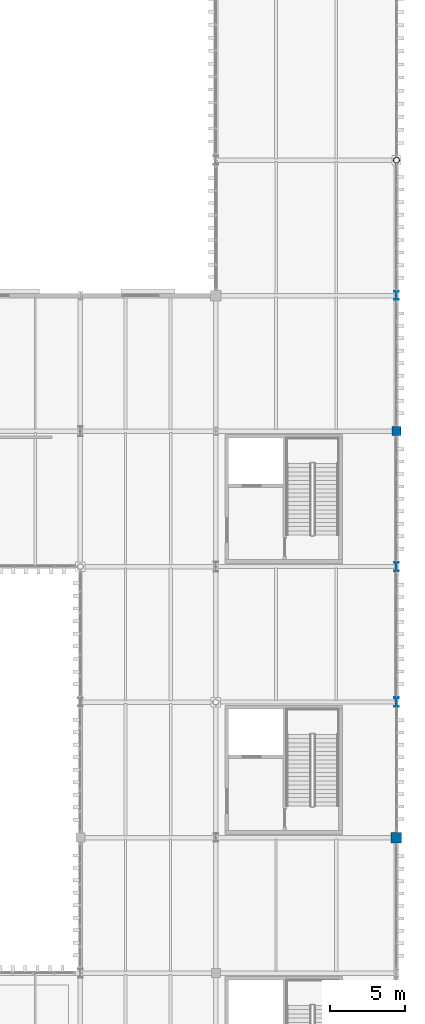
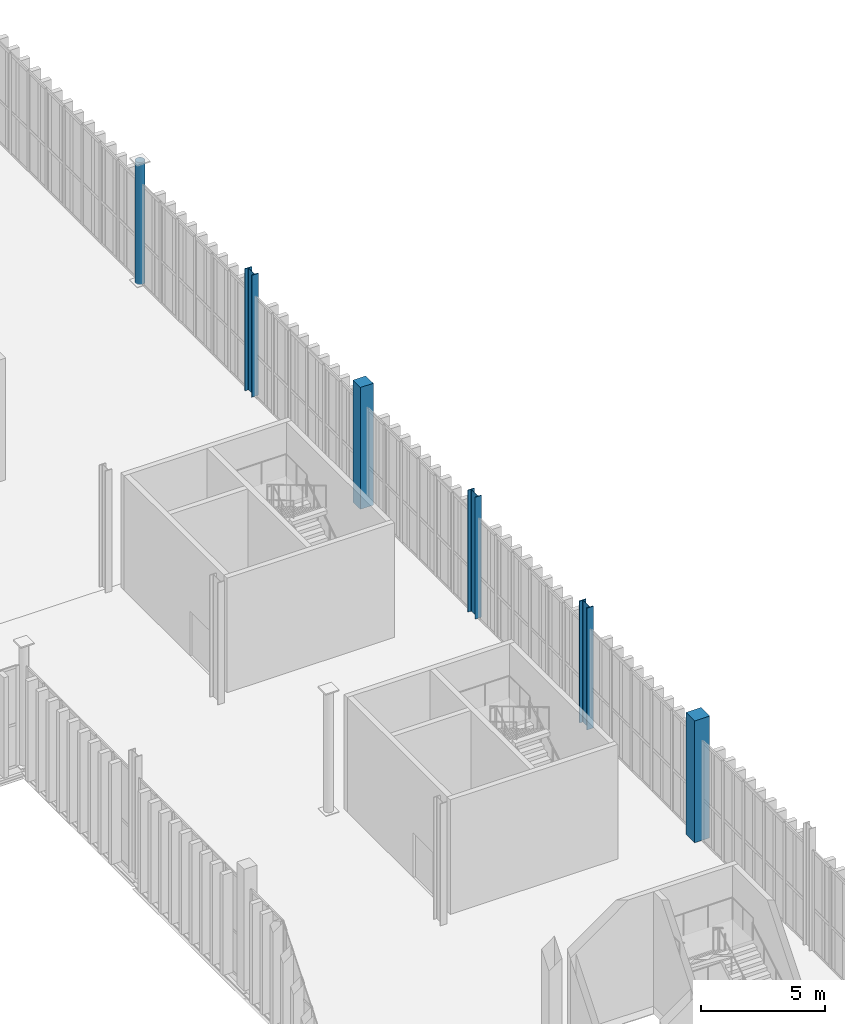
# One storey, part 21 of 211: 6 columns.
"""IFC4 building model written with IfcOpenShell, lengths in metres."""

import ifcopenshell
import ifcopenshell.guid

model = None  # the IFC model being written
_history = None  # IfcOwnerHistory: only IFC2X3 demands one
_inside = {}  # id of a spatial element -> (the spatial element, [elements in it])
_under = {}  # id of a project, library or spatial element -> (it, [spatial elements below it])
_declared = {}  # id of a project -> (the project, [libraries it declares])
_typed = {}  # id of a type object -> (the type object, [elements of that type])
_made_of = {}  # id of a material, layer set ... -> (it, [elements and type objects made of it])


def new_model(schema):
    """Start an empty IFC model of exactly this schema.

    Asked for "IFC4X3", IfcOpenShell would pick the latest addendum, in which some entities
    have other attributes; the version numbers below select the first issue.
    IFC2X3 requires an IfcOwnerHistory on every rooted entity: one is made here for all.
    """
    global model, _history
    if schema == "IFC4X3":
        model = ifcopenshell.file(schema_version=(4, 3, 0, 0))
    else:
        model = ifcopenshell.file(schema=schema)
    _inside.clear()
    _under.clear()
    _declared.clear()
    _typed.clear()
    _made_of.clear()
    _history = None
    if model.schema == "IFC2X3":
        org = make("IfcOrganization", Name="unknown")
        user = make(
            "IfcPersonAndOrganization",
            ThePerson=make("IfcPerson", FamilyName="unknown"),
            TheOrganization=org,
        )
        app = make(
            "IfcApplication",
            ApplicationDeveloper=org,
            Version="unknown",
            ApplicationFullName="unknown",
            ApplicationIdentifier="unknown",
        )
        _history = make(
            "IfcOwnerHistory",
            OwningUser=user,
            OwningApplication=app,
            ChangeAction="ADDED",
            CreationDate=0,
        )
    return model


def make(cls, **values):
    """One entity of the class cls with the attributes given. An attribute that is None is left unset."""
    return model.create_entity(
        cls, **{name: value for name, value in values.items() if value is not None}
    )


def rooted(cls, **values):
    """An entity with a GlobalId (a new one), such as an element, a storey or a relation."""
    return make(cls, GlobalId=ifcopenshell.guid.new(), OwnerHistory=_history, **values)


def si_unit(unit_type, name, prefix=None):
    """IfcSIUnit, for example si_unit("LENGTHUNIT", "METRE", prefix="MILLI")."""
    return make("IfcSIUnit", UnitType=unit_type, Prefix=prefix, Name=name)


def assignment(units):
    """IfcUnitAssignment: the units of a project."""
    return None if units is None else make("IfcUnitAssignment", Units=units)


def point(xyz):
    """IfcCartesianPoint."""
    return None if xyz is None else make("IfcCartesianPoint", Coordinates=xyz)


def direction(xyz):
    """IfcDirection."""
    return None if xyz is None else make("IfcDirection", DirectionRatios=xyz)


def frame(location, z_axis=None, x_axis=None):
    """IfcAxis2Placement3D, a coordinate frame: its origin and axes. An axis left out is left unset."""
    return make(
        "IfcAxis2Placement3D",
        Location=point(location),
        Axis=direction(z_axis),
        RefDirection=direction(x_axis),
    )


def frame_2d(location, x_axis=None):
    """IfcAxis2Placement2D, a coordinate frame in the plane: its origin and x axis."""
    return make(
        "IfcAxis2Placement2D", Location=point(location), RefDirection=direction(x_axis)
    )


def origin():
    """The frame at (0, 0, 0) with its axes left unset."""
    return frame((0.0, 0.0, 0.0))


def origin_2d():
    """The frame at (0, 0) in the plane with its x axis left unset."""
    return frame_2d((0.0, 0.0))


def place(relative_to, where):
    """IfcLocalPlacement: puts the frame where relative to a parent placement (None: the world)."""
    return make(
        "IfcLocalPlacement", PlacementRelTo=relative_to, RelativePlacement=where
    )


def context(
    kind, dimensions, precision=None, world=None, true_north=None, identifier=None
):
    """IfcGeometricRepresentationContext, for example the 3D "Model" context."""
    return make(
        "IfcGeometricRepresentationContext",
        ContextIdentifier=identifier,
        ContextType=kind,
        CoordinateSpaceDimension=dimensions,
        Precision=precision,
        WorldCoordinateSystem=world,
        TrueNorth=true_north,
    )


def subcontext(parent, identifier, kind, view, scale=None):
    """IfcGeometricRepresentationSubContext, for example "Body" below "Model"."""
    return make(
        "IfcGeometricRepresentationSubContext",
        ContextIdentifier=identifier,
        ContextType=kind,
        ParentContext=parent,
        TargetScale=scale,
        TargetView=view,
    )


def project(units=None, contexts=None):
    """IfcProject with its units and contexts."""
    return rooted(
        "IfcProject",
        Name="project",
        RepresentationContexts=contexts,
        UnitsInContext=assignment(units),
    )


def spatial(cls, under=None, at=None, **own):
    """A site, building, storey or space (cls), placed at a placement, below another one or the project."""
    s = rooted(cls, ObjectPlacement=at, **own)
    if under is not None:
        _under.setdefault(under.id(), (under, []))[1].append(s)
    return s


def profile(cls, at=None, kind="AREA", **sizes):
    """A parametric profile (cls). Its sizes go by their IFC names, for example OverallWidth=200.0."""
    return make(cls, ProfileType=kind, Position=at, **sizes)


def rectangle(**sizes):
    """IfcRectangleProfileDef."""
    return profile("IfcRectangleProfileDef", **sizes)


def hollow_circle(**sizes):
    """IfcCircleHollowProfileDef."""
    return profile("IfcCircleHollowProfileDef", **sizes)


def i_section(**sizes):
    """IfcIShapeProfileDef."""
    return profile("IfcIShapeProfileDef", **sizes)


def extrude(swept, where, along, depth):
    """IfcExtrudedAreaSolid: the profile swept, set in the frame where, extruded along a direction by depth."""
    return make(
        "IfcExtrudedAreaSolid",
        SweptArea=swept,
        Position=where,
        ExtrudedDirection=direction(along),
        Depth=depth,
    )


def shape(context_of_items, identifier, shape_type, items):
    """IfcShapeRepresentation: the items that make up one representation, for example the "Body"."""
    return make(
        "IfcShapeRepresentation",
        ContextOfItems=context_of_items,
        RepresentationIdentifier=identifier,
        RepresentationType=shape_type,
        Items=items,
    )


def material(Name=None, Category=None):
    """IfcMaterial."""
    return make("IfcMaterial", Name=Name, Category=Category)


def material_profile(
    of_material, cross_section, Name=None, Category=None, Priority=None
):
    """IfcMaterialProfile: a cross section and its material."""
    return make(
        "IfcMaterialProfile",
        Name=Name,
        Material=of_material,
        Profile=cross_section,
        Priority=Priority,
        Category=Category,
    )


def profile_set(profiles, Name=None, composite=None):
    """IfcMaterialProfileSet."""
    return make(
        "IfcMaterialProfileSet",
        Name=Name,
        MaterialProfiles=profiles,
        CompositeProfile=composite,
    )


def made_of(thing, what):
    """Note that an element or type object is made of a material, layer set ...; save() writes the relation."""
    if what is not None:
        _made_of.setdefault(what.id(), (what, []))[1].append(thing)
    return thing


def type_object(cls, material=None, **own):
    """A type object (cls), such as IfcWallType, which elements share."""
    return made_of(rooted(cls, **own), material)


def element(
    cls,
    number,
    at=None,
    inside=None,
    cuts=None,
    type_object=None,
    material=None,
    context=None,
    identifier="Body",
    shape_type=None,
    held_by="IfcProductDefinitionShape",
    body=None,
    shapes=None,
    **own,
):
    """One element of the class cls, such as IfcWall. Its Tag is "e" and its number.

    at: its placement. inside: the storey or other place that contains it. cuts: it is an
    opening in that element (IfcRelVoidsElement). A single representation is given by context,
    identifier, shape_type and body (its items); several are given by shapes. held_by: the class
    of the entity that holds the representations. save() writes the other relations.
    """
    e = rooted(cls, Tag="e%d" % number, ObjectPlacement=at, **own)
    if body is not None:
        shapes = [shape(context, identifier, shape_type, body)]
    if shapes is not None:
        e.Representation = make(held_by, Representations=shapes)
    if inside is not None:
        _inside.setdefault(inside.id(), (inside, []))[1].append(e)
    if cuts is not None:
        rooted(
            "IfcRelVoidsElement", RelatingBuildingElement=cuts, RelatedOpeningElement=e
        )
    if type_object is not None:
        _typed.setdefault(type_object.id(), (type_object, []))[1].append(e)
    return made_of(e, material)


def aggregate(whole, parts):
    """IfcRelAggregates: a whole, such as a stair, and the parts it consists of."""
    return rooted("IfcRelAggregates", RelatingObject=whole, RelatedObjects=parts)


def save(model, path):
    """Write the relations noted so far, then the file.

    IfcRelAggregates (storeys below a building ...), IfcRelContainedInSpatialStructure (elements
    in a storey), IfcRelDefinesByType, IfcRelAssociatesMaterial and IfcRelDeclares: one each for
    every whole, place, type object, material and project.
    """
    for whole, parts in _under.values():
        aggregate(whole, parts)
    for where, things in _inside.values():
        rooted(
            "IfcRelContainedInSpatialStructure",
            RelatedElements=things,
            RelatingStructure=where,
        )
    for kind, things in _typed.values():
        rooted("IfcRelDefinesByType", RelatedObjects=things, RelatingType=kind)
    for what, things in _made_of.values():
        rooted("IfcRelAssociatesMaterial", RelatedObjects=things, RelatingMaterial=what)
    for by, libraries in _declared.values():
        rooted("IfcRelDeclares", RelatingContext=by, RelatedDefinitions=libraries)
    model.write(path)


model = new_model("IFC4")

# Units and contexts
model_context = context("Model", 3, precision=1e-05, world=origin(), true_north=direction((0.0, 1.0)))
body_context = subcontext(model_context, "Body", "Model", "MODEL_VIEW")
ifc_project = project(units=[si_unit("LENGTHUNIT", "METRE"), si_unit("AREAUNIT", "SQUARE_METRE"), si_unit("VOLUMEUNIT", "CUBIC_METRE"), si_unit("PLANEANGLEUNIT", "RADIAN"), si_unit("MASSUNIT", "GRAM", prefix="KILO")], contexts=[model_context])

# Site, building, storey
site_placement = place(None, origin())
site = spatial("IfcSite", under=ifc_project, at=site_placement, CompositionType="ELEMENT")
building_placement = place(site_placement, origin())
building = spatial("IfcBuilding", under=site, at=building_placement, Name="Barlavento Convention Centre", CompositionType="ELEMENT")
storey_placement = place(building_placement, frame((0.0, 0.0, 6.0)))
storey = spatial("IfcBuildingStorey", under=building, at=storey_placement, Name="L01", CompositionType="ELEMENT", Elevation=6.0)

# Columns
ifc_material_1 = material(Name="Steel S355", Category="steel")
ifc_material_profile_1 = material_profile(ifc_material_1, hollow_circle(Radius=0.203125, WallThickness=0.01611328125, at=origin_2d()), Name="CHS 406.4x16.0")
ifc_profile_set_1 = profile_set([ifc_material_profile_1], Name="Steel S355")
column_type_1 = type_object("IfcColumnType", Name="STR-COL-CHS406", PredefinedType="COLUMN", material=ifc_profile_set_1)
column_1_placement = place(storey_placement, frame((192.0, 117.0, 0.0), z_axis=(0.0, 0.0, 1.0), x_axis=(1.0, 0.0, 0.0)))
element("IfcColumn", 1, at=column_1_placement, inside=storey, type_object=column_type_1, Name="L01 column SC14", PredefinedType="COLUMN", context=body_context, shape_type="SweptSolid", body=[
    extrude(hollow_circle(Radius=0.203125, WallThickness=0.01611328125, at=origin_2d()), origin(), (0.0, 0.0, 1.0), 6.0),
])
ifc_material_profile_2 = material_profile(ifc_material_1, i_section(OverallWidth=0.300048828125, OverallDepth=0.60009765625, WebThickness=0.015380859375, FlangeThickness=0.030029296875, FilletRadius=0.027099609375, at=origin_2d()), Name="HEB 600")
ifc_profile_set_2 = profile_set([ifc_material_profile_2], Name="Steel S355")
column_type_2 = type_object("IfcColumnType", Name="STR-COL-HEB600", PredefinedType="COLUMN", material=ifc_profile_set_2)
column_2_placement = place(storey_placement, frame((192.0, 90.0, 0.0), z_axis=(0.0, 0.0, 1.0), x_axis=(1.0, 0.0, 0.0)))
element("IfcColumn", 2, at=column_2_placement, inside=storey, type_object=column_type_2, Name="L01 column SC08", PredefinedType="COLUMN", context=body_context, shape_type="SweptSolid", body=[
    extrude(i_section(OverallWidth=0.300048828125, OverallDepth=0.60009765625, WebThickness=0.015380859375, FlangeThickness=0.030029296875, FilletRadius=0.027099609375, at=origin_2d()), origin(), (0.0, 0.0, 1.0), 6.0),
])
ifc_material_profile_3 = material_profile(ifc_material_1, i_section(OverallWidth=0.305908203125, OverallDepth=0.572021484375, WebThickness=0.02099609375, FlangeThickness=0.0400390625, FilletRadius=0.027099609375, at=origin_2d()), Name="HEM 550")
ifc_profile_set_3 = profile_set([ifc_material_profile_3], Name="Steel S355")
column_type_3 = type_object("IfcColumnType", Name="STR-COL-HEM550", PredefinedType="COLUMN", material=ifc_profile_set_3)
column_3_placement = place(storey_placement, frame((192.0, 108.0, 0.0), z_axis=(0.0, 0.0, 1.0), x_axis=(1.0, 0.0, 0.0)))
element("IfcColumn", 3, at=column_3_placement, inside=storey, type_object=column_type_3, Name="L01 column SC06", PredefinedType="COLUMN", context=body_context, shape_type="SweptSolid", body=[
    extrude(i_section(OverallWidth=0.305908203125, OverallDepth=0.572021484375, WebThickness=0.02099609375, FlangeThickness=0.0400390625, FilletRadius=0.027099609375, at=origin_2d()), origin(), (0.0, 0.0, 1.0), 6.0),
])
ifc_material_profile_4 = material_profile(ifc_material_1, i_section(OverallWidth=0.304931640625, OverallDepth=0.6201171875, WebThickness=0.02099609375, FlangeThickness=0.0400390625, FilletRadius=0.027099609375, at=origin_2d()), Name="HEM 600")
ifc_profile_set_4 = profile_set([ifc_material_profile_4], Name="Steel S355")
column_type_4 = type_object("IfcColumnType", Name="STR-COL-HEM600", PredefinedType="COLUMN", material=ifc_profile_set_4)
column_4_placement = place(storey_placement, frame((192.0, 81.0, 0.0), z_axis=(0.0, 0.0, 1.0), x_axis=(1.0, 0.0, 0.0)))
element("IfcColumn", 4, at=column_4_placement, inside=storey, type_object=column_type_4, Name="L01 column SC05", PredefinedType="COLUMN", context=body_context, shape_type="SweptSolid", body=[
    extrude(i_section(OverallWidth=0.304931640625, OverallDepth=0.6201171875, WebThickness=0.02099609375, FlangeThickness=0.0400390625, FilletRadius=0.027099609375, at=origin_2d()), origin(), (0.0, 0.0, 1.0), 6.0),
])
ifc_material_2 = material(Name="Concrete C40/50", Category="concrete")
ifc_material_profile_5 = material_profile(ifc_material_2, rectangle(XDim=0.60009765625, YDim=0.60009765625, at=origin_2d()), Name="RC 600x600")
ifc_profile_set_5 = profile_set([ifc_material_profile_5], Name="Concrete C40/50")
column_type_5 = type_object("IfcColumnType", Name="STR-COL-RC600", PredefinedType="COLUMN", material=ifc_profile_set_5)
column_5_placement = place(storey_placement, frame((192.0, 99.0, 0.0), z_axis=(0.0, 0.0, 1.0), x_axis=(1.0, 0.0, 0.0)))
element("IfcColumn", 5, at=column_5_placement, inside=storey, type_object=column_type_5, Name="L01 column CC07", PredefinedType="COLUMN", context=body_context, shape_type="SweptSolid", body=[
    extrude(rectangle(XDim=0.60009765625, YDim=0.60009765625, at=origin_2d()), origin(), (0.0, 0.0, 1.0), 6.0),
])
ifc_material_profile_6 = material_profile(ifc_material_2, rectangle(XDim=0.699951171875, YDim=0.699951171875, at=origin_2d()), Name="RC 700x700")
ifc_profile_set_6 = profile_set([ifc_material_profile_6], Name="Concrete C40/50")
column_type_6 = type_object("IfcColumnType", Name="STR-COL-RC700", PredefinedType="COLUMN", material=ifc_profile_set_6)
column_6_placement = place(storey_placement, frame((192.0, 72.0, 0.0), z_axis=(0.0, 0.0, 1.0), x_axis=(1.0, 0.0, 0.0)))
element("IfcColumn", 6, at=column_6_placement, inside=storey, type_object=column_type_6, Name="L01 column CC06", PredefinedType="COLUMN", context=body_context, shape_type="SweptSolid", body=[
    extrude(rectangle(XDim=0.699951171875, YDim=0.699951171875, at=origin_2d()), origin(), (0.0, 0.0, 1.0), 6.0),
])

save(model, "model.ifc")
